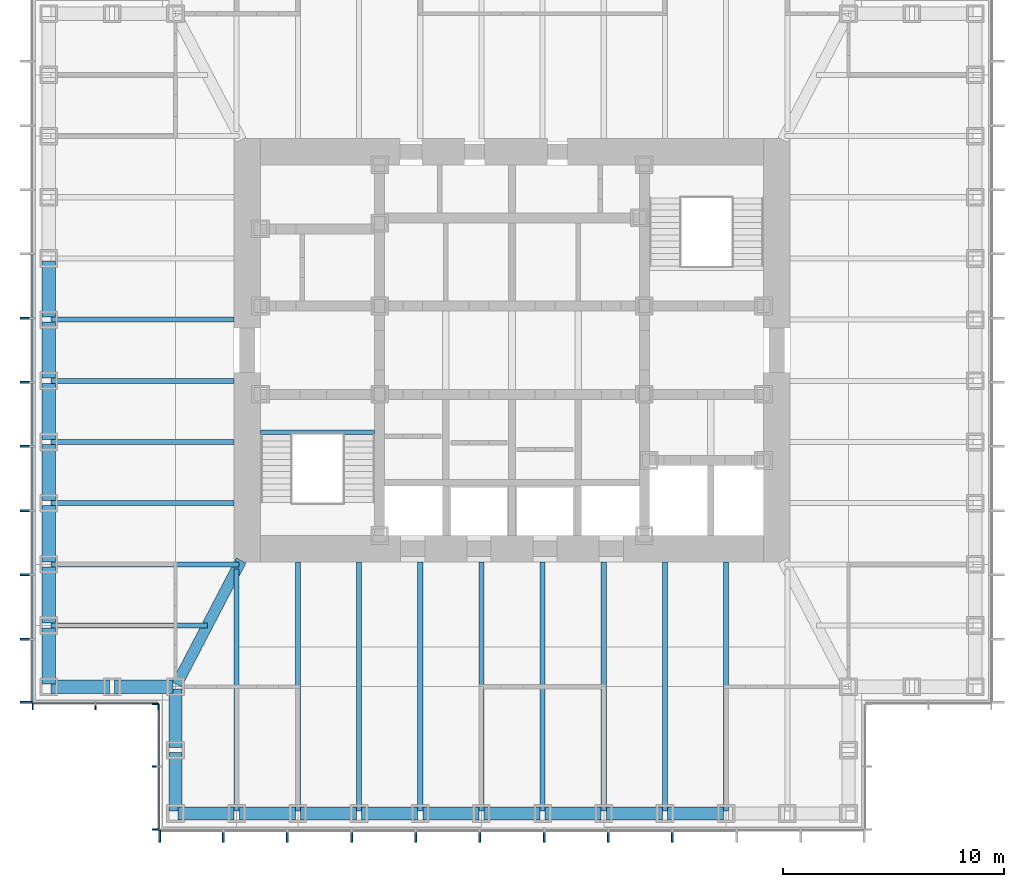
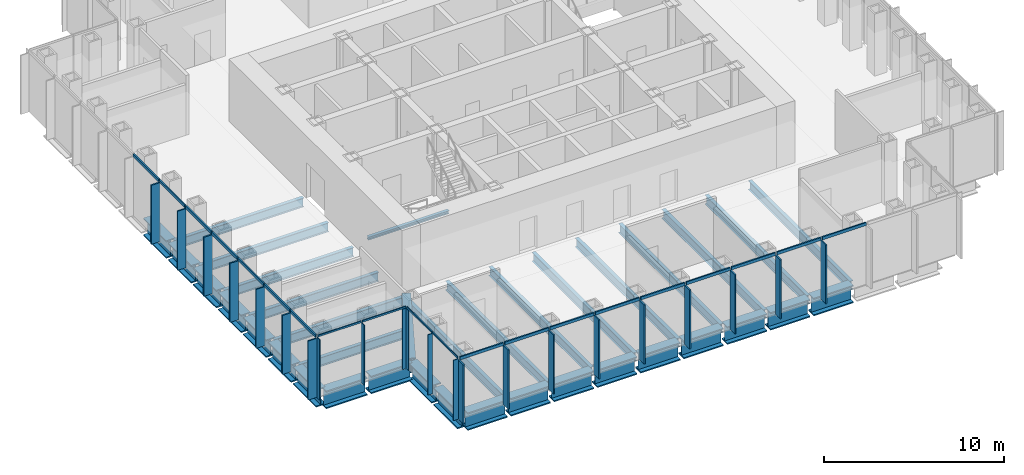
# One storey, part 2 of 16: 42 members, 37 beams, 4 elements without a shape of their own.
"""IFC4 building model written with IfcOpenShell, lengths in metres."""

from ifc_helpers import new_model, si_unit, direction, frame, origin, origin_2d, place, context, subcontext, project, spatial, rectangle, i_section, extrude, material, material_profile, profile_set, type_object, element, aggregate, save


model = new_model("IFC4")

# Units and contexts
model_context = context("Model", 3, precision=1e-05, world=origin(), true_north=direction((0.0, 1.0)))
body_context = subcontext(model_context, "Body", "Model", "MODEL_VIEW")
ifc_project = project(units=[si_unit("LENGTHUNIT", "METRE"), si_unit("AREAUNIT", "SQUARE_METRE"), si_unit("VOLUMEUNIT", "CUBIC_METRE"), si_unit("PLANEANGLEUNIT", "RADIAN"), si_unit("MASSUNIT", "GRAM", prefix="KILO")], contexts=[model_context])

# Site, building, storey
site_placement = place(None, origin())
site = spatial("IfcSite", under=ifc_project, at=site_placement, CompositionType="ELEMENT")
building_placement = place(site_placement, origin())
building = spatial("IfcBuilding", under=site, at=building_placement, Name="Daluyong Arena Tower", CompositionType="ELEMENT")
storey_placement = place(building_placement, frame((0.0, 0.0, 262.89990234375)))
storey = spatial("IfcBuildingStorey", under=building, at=storey_placement, Name="L59", CompositionType="ELEMENT", Elevation=262.89990234375)

# Curtain wall, members
ifc_material_1 = material(Name="Bronze anodised aluminium and glass", Category="aluminium")
curtain_wall_type_1 = type_object("IfcCurtainWallType", Name="Curtain wall CW4", PredefinedType="USERDEFINED", material=ifc_material_1)
curtain_wall_1_placement = place(storey_placement, origin())
curtain_wall_1 = element("IfcCurtainWall", 1, at=curtain_wall_1_placement, inside=storey, type_object=curtain_wall_type_1, Name="curtain wall L59 S", ObjectType="UNITISED CURTAIN WALL", PredefinedType="USERDEFINED")
ifc_material_2 = material(Name="Bronze anodised aluminium fin", Category="aluminium")
ifc_material_profile_1 = material_profile(ifc_material_2, rectangle(XDim=0.550048828125, YDim=0.090087890625, at=origin_2d()))
ifc_profile_set_1 = profile_set([ifc_material_profile_1], Name="Bronze anodised aluminium fin")
member_type_1 = type_object("IfcMemberType", Name="CW4 bronze fin 550x90", PredefinedType="MULLION", material=ifc_profile_set_1)
member_1_placement = place(storey_placement, frame((40.044921875, 57.97509765625, 0.0), z_axis=(0.0, 0.0, 1.0), x_axis=(0.0, 1.0, 0.0)))
member_1 = element("IfcMember", 2, at=member_1_placement, type_object=member_type_1, Name="curtain wall L59 S fin 1", PredefinedType="MULLION", context=body_context, shape_type="SweptSolid", body=[
    extrude(rectangle(XDim=0.550048828125, YDim=0.090087890625, at=origin_2d()), origin(), (0.0, 0.0, 1.0), 4.0),
])
member_2_placement = place(storey_placement, frame((42.9091796875, 57.97509765625, 0.0), z_axis=(0.0, 0.0, 1.0), x_axis=(0.0, 1.0, 0.0)))
member_2 = element("IfcMember", 3, at=member_2_placement, type_object=member_type_1, Name="curtain wall L59 S fin 2", PredefinedType="MULLION", context=body_context, shape_type="SweptSolid", body=[
    extrude(rectangle(XDim=0.550048828125, YDim=0.090087890625, at=origin_2d()), origin(), (0.0, 0.0, 1.0), 4.0),
])
member_3_placement = place(storey_placement, frame((45.818115234375, 57.97509765625, 0.0), z_axis=(0.0, 0.0, 1.0), x_axis=(0.0, 1.0, 0.0)))
member_3 = element("IfcMember", 4, at=member_3_placement, type_object=member_type_1, Name="curtain wall L59 S fin 3", PredefinedType="MULLION", context=body_context, shape_type="SweptSolid", body=[
    extrude(rectangle(XDim=0.550048828125, YDim=0.090087890625, at=origin_2d()), origin(), (0.0, 0.0, 1.0), 4.0),
])
member_4_placement = place(storey_placement, frame((48.727294921875, 57.97509765625, 0.0), z_axis=(0.0, 0.0, 1.0), x_axis=(0.0, 1.0, 0.0)))
member_4 = element("IfcMember", 5, at=member_4_placement, type_object=member_type_1, Name="curtain wall L59 S fin 4", PredefinedType="MULLION", context=body_context, shape_type="SweptSolid", body=[
    extrude(rectangle(XDim=0.550048828125, YDim=0.090087890625, at=origin_2d()), origin(), (0.0, 0.0, 1.0), 4.0),
])
member_5_placement = place(storey_placement, frame((51.636474609375, 57.97509765625, 0.0), z_axis=(0.0, 0.0, 1.0), x_axis=(0.0, 1.0, 0.0)))
member_5 = element("IfcMember", 6, at=member_5_placement, type_object=member_type_1, Name="curtain wall L59 S fin 5", PredefinedType="MULLION", context=body_context, shape_type="SweptSolid", body=[
    extrude(rectangle(XDim=0.550048828125, YDim=0.090087890625, at=origin_2d()), origin(), (0.0, 0.0, 1.0), 4.0),
])
member_6_placement = place(storey_placement, frame((54.54541015625, 57.97509765625, 0.0), z_axis=(0.0, 0.0, 1.0), x_axis=(0.0, 1.0, 0.0)))
member_6 = element("IfcMember", 7, at=member_6_placement, type_object=member_type_1, Name="curtain wall L59 S fin 6", PredefinedType="MULLION", context=body_context, shape_type="SweptSolid", body=[
    extrude(rectangle(XDim=0.550048828125, YDim=0.090087890625, at=origin_2d()), origin(), (0.0, 0.0, 1.0), 4.0),
])
member_7_placement = place(storey_placement, frame((57.45458984375, 57.97509765625, 0.0), z_axis=(0.0, 0.0, 1.0), x_axis=(0.0, 1.0, 0.0)))
member_7 = element("IfcMember", 8, at=member_7_placement, type_object=member_type_1, Name="curtain wall L59 S fin 7", PredefinedType="MULLION", context=body_context, shape_type="SweptSolid", body=[
    extrude(rectangle(XDim=0.550048828125, YDim=0.090087890625, at=origin_2d()), origin(), (0.0, 0.0, 1.0), 4.0),
])
member_8_placement = place(storey_placement, frame((60.363525390625, 57.97509765625, 0.0), z_axis=(0.0, 0.0, 1.0), x_axis=(0.0, 1.0, 0.0)))
member_8 = element("IfcMember", 9, at=member_8_placement, type_object=member_type_1, Name="curtain wall L59 S fin 8", PredefinedType="MULLION", context=body_context, shape_type="SweptSolid", body=[
    extrude(rectangle(XDim=0.550048828125, YDim=0.090087890625, at=origin_2d()), origin(), (0.0, 0.0, 1.0), 4.0),
])
member_9_placement = place(storey_placement, frame((63.272705078125, 57.97509765625, 0.0), z_axis=(0.0, 0.0, 1.0), x_axis=(0.0, 1.0, 0.0)))
member_9 = element("IfcMember", 10, at=member_9_placement, type_object=member_type_1, Name="curtain wall L59 S fin 9", PredefinedType="MULLION", context=body_context, shape_type="SweptSolid", body=[
    extrude(rectangle(XDim=0.550048828125, YDim=0.090087890625, at=origin_2d()), origin(), (0.0, 0.0, 1.0), 4.0),
])

curtain_wall_2_placement = place(storey_placement, origin())
curtain_wall_2 = element("IfcCurtainWall", 11, at=curtain_wall_2_placement, inside=storey, type_object=curtain_wall_type_1, Name="curtain wall L59 W", ObjectType="UNITISED CURTAIN WALL", PredefinedType="USERDEFINED")
member_10_placement = place(storey_placement, frame((33.97509765625, 81.45458984375, 0.0), z_axis=(0.0, 0.0, 1.0), x_axis=(1.0, 0.0, 0.0)))
member_10 = element("IfcMember", 12, at=member_10_placement, type_object=member_type_1, Name="curtain wall L59 W fin 6", PredefinedType="MULLION", context=body_context, shape_type="SweptSolid", body=[
    extrude(rectangle(XDim=0.550048828125, YDim=0.090087890625, at=origin_2d()), origin(), (0.0, 0.0, 1.0), 4.0),
])
member_11_placement = place(storey_placement, frame((33.97509765625, 78.54541015625, 0.0), z_axis=(0.0, 0.0, 1.0), x_axis=(1.0, 0.0, 0.0)))
member_11 = element("IfcMember", 13, at=member_11_placement, type_object=member_type_1, Name="curtain wall L59 W fin 7", PredefinedType="MULLION", context=body_context, shape_type="SweptSolid", body=[
    extrude(rectangle(XDim=0.550048828125, YDim=0.090087890625, at=origin_2d()), origin(), (0.0, 0.0, 1.0), 4.0),
])
member_12_placement = place(storey_placement, frame((33.97509765625, 75.636474609375, 0.0), z_axis=(0.0, 0.0, 1.0), x_axis=(1.0, 0.0, 0.0)))
member_12 = element("IfcMember", 14, at=member_12_placement, type_object=member_type_1, Name="curtain wall L59 W fin 8", PredefinedType="MULLION", context=body_context, shape_type="SweptSolid", body=[
    extrude(rectangle(XDim=0.550048828125, YDim=0.090087890625, at=origin_2d()), origin(), (0.0, 0.0, 1.0), 4.0),
])
member_13_placement = place(storey_placement, frame((33.97509765625, 72.727294921875, 0.0), z_axis=(0.0, 0.0, 1.0), x_axis=(1.0, 0.0, 0.0)))
member_13 = element("IfcMember", 15, at=member_13_placement, type_object=member_type_1, Name="curtain wall L59 W fin 9", PredefinedType="MULLION", context=body_context, shape_type="SweptSolid", body=[
    extrude(rectangle(XDim=0.550048828125, YDim=0.090087890625, at=origin_2d()), origin(), (0.0, 0.0, 1.0), 4.0),
])
member_14_placement = place(storey_placement, frame((33.97509765625, 69.818115234375, 0.0), z_axis=(0.0, 0.0, 1.0), x_axis=(1.0, 0.0, 0.0)))
member_14 = element("IfcMember", 16, at=member_14_placement, type_object=member_type_1, Name="curtain wall L59 W fin 10", PredefinedType="MULLION", context=body_context, shape_type="SweptSolid", body=[
    extrude(rectangle(XDim=0.550048828125, YDim=0.090087890625, at=origin_2d()), origin(), (0.0, 0.0, 1.0), 4.0),
])
member_15_placement = place(storey_placement, frame((33.97509765625, 66.9091796875, 0.0), z_axis=(0.0, 0.0, 1.0), x_axis=(1.0, 0.0, 0.0)))
member_15 = element("IfcMember", 17, at=member_15_placement, type_object=member_type_1, Name="curtain wall L59 W fin 11", PredefinedType="MULLION", context=body_context, shape_type="SweptSolid", body=[
    extrude(rectangle(XDim=0.550048828125, YDim=0.090087890625, at=origin_2d()), origin(), (0.0, 0.0, 1.0), 4.0),
])
member_16_placement = place(storey_placement, frame((33.97509765625, 64.044921875, 0.0), z_axis=(0.0, 0.0, 1.0), x_axis=(1.0, 0.0, 0.0)))
member_16 = element("IfcMember", 18, at=member_16_placement, type_object=member_type_1, Name="curtain wall L59 W fin 12", PredefinedType="MULLION", context=body_context, shape_type="SweptSolid", body=[
    extrude(rectangle(XDim=0.550048828125, YDim=0.090087890625, at=origin_2d()), origin(), (0.0, 0.0, 1.0), 4.0),
])

# Member
ifc_material_3 = material(Name="Bronze anodised aluminium", Category="aluminium")
ifc_material_profile_2 = material_profile(ifc_material_3, rectangle(XDim=0.090087890625, YDim=0.199951171875, at=origin_2d()))
ifc_profile_set_2 = profile_set([ifc_material_profile_2], Name="Bronze anodised aluminium")
member_type_2 = type_object("IfcMemberType", Name="CW4 stack transom 200x90", PredefinedType="USERDEFINED", material=ifc_profile_set_2)
member_17_placement = place(storey_placement, frame((40.090087890625, 58.25, 4.10009765625), z_axis=(1.0, 0.0, 0.0), x_axis=(0.0, 1.0, 0.0)))
member_17 = element("IfcMember", 19, at=member_17_placement, type_object=member_type_2, Name="curtain wall L59 S transom 1", ObjectType="TRANSOM", PredefinedType="USERDEFINED", context=body_context, shape_type="SweptSolid", body=[
    extrude(rectangle(XDim=0.090087890625, YDim=0.199951171875, at=origin_2d()), origin(), (0.0, 0.0, 1.0), 2.77392578125),
])

member_18_placement = place(storey_placement, frame((42.9541015625, 58.25, 4.10009765625), z_axis=(1.0, 0.0, 0.0), x_axis=(0.0, 1.0, 0.0)))
member_18 = element("IfcMember", 20, at=member_18_placement, type_object=member_type_2, Name="curtain wall L59 S transom 2", ObjectType="TRANSOM", PredefinedType="USERDEFINED", context=body_context, shape_type="SweptSolid", body=[
    extrude(rectangle(XDim=0.090087890625, YDim=0.199951171875, at=origin_2d()), origin(), (0.0, 0.0, 1.0), 2.819091796875),
])

member_19_placement = place(storey_placement, frame((45.86328125, 58.25, 4.10009765625), z_axis=(1.0, 0.0, 0.0), x_axis=(0.0, 1.0, 0.0)))
member_19 = element("IfcMember", 21, at=member_19_placement, type_object=member_type_2, Name="curtain wall L59 S transom 3", ObjectType="TRANSOM", PredefinedType="USERDEFINED", context=body_context, shape_type="SweptSolid", body=[
    extrude(rectangle(XDim=0.090087890625, YDim=0.199951171875, at=origin_2d()), origin(), (0.0, 0.0, 1.0), 2.819091796875),
])

member_20_placement = place(storey_placement, frame((48.772216796875, 58.25, 4.10009765625), z_axis=(1.0, 0.0, 0.0), x_axis=(0.0, 1.0, 0.0)))
member_20 = element("IfcMember", 22, at=member_20_placement, type_object=member_type_2, Name="curtain wall L59 S transom 4", ObjectType="TRANSOM", PredefinedType="USERDEFINED", context=body_context, shape_type="SweptSolid", body=[
    extrude(rectangle(XDim=0.090087890625, YDim=0.199951171875, at=origin_2d()), origin(), (0.0, 0.0, 1.0), 2.819091796875),
])

member_21_placement = place(storey_placement, frame((51.681396484375, 58.25, 4.10009765625), z_axis=(1.0, 0.0, 0.0), x_axis=(0.0, 1.0, 0.0)))
member_21 = element("IfcMember", 23, at=member_21_placement, type_object=member_type_2, Name="curtain wall L59 S transom 5", ObjectType="TRANSOM", PredefinedType="USERDEFINED", context=body_context, shape_type="SweptSolid", body=[
    extrude(rectangle(XDim=0.090087890625, YDim=0.199951171875, at=origin_2d()), origin(), (0.0, 0.0, 1.0), 2.819091796875),
])

member_22_placement = place(storey_placement, frame((54.590576171875, 58.25, 4.10009765625), z_axis=(1.0, 0.0, 0.0), x_axis=(0.0, 1.0, 0.0)))
member_22 = element("IfcMember", 24, at=member_22_placement, type_object=member_type_2, Name="curtain wall L59 S transom 6", ObjectType="TRANSOM", PredefinedType="USERDEFINED", context=body_context, shape_type="SweptSolid", body=[
    extrude(rectangle(XDim=0.090087890625, YDim=0.199951171875, at=origin_2d()), origin(), (0.0, 0.0, 1.0), 2.81884765625),
])

member_23_placement = place(storey_placement, frame((57.49951171875, 58.25, 4.10009765625), z_axis=(1.0, 0.0, 0.0), x_axis=(0.0, 1.0, 0.0)))
member_23 = element("IfcMember", 25, at=member_23_placement, type_object=member_type_2, Name="curtain wall L59 S transom 7", ObjectType="TRANSOM", PredefinedType="USERDEFINED", context=body_context, shape_type="SweptSolid", body=[
    extrude(rectangle(XDim=0.090087890625, YDim=0.199951171875, at=origin_2d()), origin(), (0.0, 0.0, 1.0), 2.819091796875),
])

member_24_placement = place(storey_placement, frame((60.40869140625, 58.25, 4.10009765625), z_axis=(1.0, 0.0, 0.0), x_axis=(0.0, 1.0, 0.0)))
member_24 = element("IfcMember", 26, at=member_24_placement, type_object=member_type_2, Name="curtain wall L59 S transom 8", ObjectType="TRANSOM", PredefinedType="USERDEFINED", context=body_context, shape_type="SweptSolid", body=[
    extrude(rectangle(XDim=0.090087890625, YDim=0.199951171875, at=origin_2d()), origin(), (0.0, 0.0, 1.0), 2.819091796875),
])

member_25_placement = place(storey_placement, frame((63.317626953125, 58.25, 4.10009765625), z_axis=(1.0, 0.0, 0.0), x_axis=(0.0, 1.0, 0.0)))
member_25 = element("IfcMember", 27, at=member_25_placement, type_object=member_type_2, Name="curtain wall L59 S transom 9", ObjectType="TRANSOM", PredefinedType="USERDEFINED", context=body_context, shape_type="SweptSolid", body=[
    extrude(rectangle(XDim=0.090087890625, YDim=0.199951171875, at=origin_2d()), origin(), (0.0, 0.0, 1.0), 2.819091796875),
])

aggregate(curtain_wall_1, [member_1, member_2, member_3, member_4, member_5, member_6, member_7, member_8, member_9, member_17, member_18, member_19, member_20, member_21, member_22, member_23, member_24, member_25])

member_26_placement = place(storey_placement, frame((34.25, 84.318603515625, 4.10009765625), z_axis=(0.0, -1.0, 0.0), x_axis=(1.0, 0.0, 0.0)))
member_26 = element("IfcMember", 28, at=member_26_placement, type_object=member_type_2, Name="curtain wall L59 W transom 5", ObjectType="TRANSOM", PredefinedType="USERDEFINED", context=body_context, shape_type="SweptSolid", body=[
    extrude(rectangle(XDim=0.090087890625, YDim=0.199951171875, at=origin_2d()), origin(), (0.0, 0.0, 1.0), 2.819091796875),
])

member_27_placement = place(storey_placement, frame((34.25, 81.409423828125, 4.10009765625), z_axis=(0.0, -1.0, 0.0), x_axis=(1.0, 0.0, 0.0)))
member_27 = element("IfcMember", 29, at=member_27_placement, type_object=member_type_2, Name="curtain wall L59 W transom 6", ObjectType="TRANSOM", PredefinedType="USERDEFINED", context=body_context, shape_type="SweptSolid", body=[
    extrude(rectangle(XDim=0.090087890625, YDim=0.199951171875, at=origin_2d()), origin(), (0.0, 0.0, 1.0), 2.81884765625),
])

member_28_placement = place(storey_placement, frame((34.25, 78.50048828125, 4.10009765625), z_axis=(0.0, -1.0, 0.0), x_axis=(1.0, 0.0, 0.0)))
member_28 = element("IfcMember", 30, at=member_28_placement, type_object=member_type_2, Name="curtain wall L59 W transom 7", ObjectType="TRANSOM", PredefinedType="USERDEFINED", context=body_context, shape_type="SweptSolid", body=[
    extrude(rectangle(XDim=0.090087890625, YDim=0.199951171875, at=origin_2d()), origin(), (0.0, 0.0, 1.0), 2.819091796875),
])

member_29_placement = place(storey_placement, frame((34.25, 75.59130859375, 4.10009765625), z_axis=(0.0, -1.0, 0.0), x_axis=(1.0, 0.0, 0.0)))
member_29 = element("IfcMember", 31, at=member_29_placement, type_object=member_type_2, Name="curtain wall L59 W transom 8", ObjectType="TRANSOM", PredefinedType="USERDEFINED", context=body_context, shape_type="SweptSolid", body=[
    extrude(rectangle(XDim=0.090087890625, YDim=0.199951171875, at=origin_2d()), origin(), (0.0, 0.0, 1.0), 2.819091796875),
])

member_30_placement = place(storey_placement, frame((34.25, 72.682373046875, 4.10009765625), z_axis=(0.0, -1.0, 0.0), x_axis=(1.0, 0.0, 0.0)))
member_30 = element("IfcMember", 32, at=member_30_placement, type_object=member_type_2, Name="curtain wall L59 W transom 9", ObjectType="TRANSOM", PredefinedType="USERDEFINED", context=body_context, shape_type="SweptSolid", body=[
    extrude(rectangle(XDim=0.090087890625, YDim=0.199951171875, at=origin_2d()), origin(), (0.0, 0.0, 1.0), 2.819091796875),
])

member_31_placement = place(storey_placement, frame((34.25, 69.773193359375, 4.10009765625), z_axis=(0.0, -1.0, 0.0), x_axis=(1.0, 0.0, 0.0)))
member_31 = element("IfcMember", 33, at=member_31_placement, type_object=member_type_2, Name="curtain wall L59 W transom 10", ObjectType="TRANSOM", PredefinedType="USERDEFINED", context=body_context, shape_type="SweptSolid", body=[
    extrude(rectangle(XDim=0.090087890625, YDim=0.199951171875, at=origin_2d()), origin(), (0.0, 0.0, 1.0), 2.819091796875),
])

member_32_placement = place(storey_placement, frame((34.25, 66.864013671875, 4.10009765625), z_axis=(0.0, -1.0, 0.0), x_axis=(1.0, 0.0, 0.0)))
member_32 = element("IfcMember", 34, at=member_32_placement, type_object=member_type_2, Name="curtain wall L59 W transom 11", ObjectType="TRANSOM", PredefinedType="USERDEFINED", context=body_context, shape_type="SweptSolid", body=[
    extrude(rectangle(XDim=0.090087890625, YDim=0.199951171875, at=origin_2d()), origin(), (0.0, 0.0, 1.0), 2.77392578125),
])

aggregate(curtain_wall_2, [member_10, member_11, member_12, member_13, member_14, member_15, member_16, member_26, member_27, member_28, member_29, member_30, member_31, member_32])

# Curtain wall, members
ifc_material_4 = material(Name="Bronze anodised aluminium and glass", Category="aluminium")
curtain_wall_type_2 = type_object("IfcCurtainWallType", Name="Curtain wall CW7", PredefinedType="USERDEFINED", material=ifc_material_4)
curtain_wall_3_placement = place(storey_placement, origin())
curtain_wall_3 = element("IfcCurtainWall", 35, at=curtain_wall_3_placement, inside=storey, type_object=curtain_wall_type_2, Name="curtain wall L59 SW-S", ObjectType="UNITISED CURTAIN WALL", PredefinedType="USERDEFINED")
ifc_material_5 = material(Name="Bronze anodised aluminium fin", Category="aluminium")
ifc_material_profile_3 = material_profile(ifc_material_5, rectangle(XDim=0.300048828125, YDim=0.06005859375, at=origin_2d()))
ifc_profile_set_3 = profile_set([ifc_material_profile_3], Name="Bronze anodised aluminium fin")
member_type_3 = type_object("IfcMemberType", Name="CW7 bronze fin 300x60", PredefinedType="MULLION", material=ifc_profile_set_3)
member_33_placement = place(storey_placement, frame((34.280029296875, 63.85009765625, 0.0), z_axis=(0.0, 0.0, 1.0), x_axis=(0.0, 1.0, 0.0)))
member_33 = element("IfcMember", 36, at=member_33_placement, type_object=member_type_3, Name="curtain wall L59 SW-S fin 1", PredefinedType="MULLION", context=body_context, shape_type="SweptSolid", body=[
    extrude(rectangle(XDim=0.300048828125, YDim=0.06005859375, at=origin_2d()), origin(), (0.0, 0.0, 1.0), 4.080078125),
])
member_34_placement = place(storey_placement, frame((37.125, 63.85009765625, 0.0), z_axis=(0.0, 0.0, 1.0), x_axis=(0.0, 1.0, 0.0)))
member_34 = element("IfcMember", 37, at=member_34_placement, type_object=member_type_3, Name="curtain wall L59 SW-S fin 2", PredefinedType="MULLION", context=body_context, shape_type="SweptSolid", body=[
    extrude(rectangle(XDim=0.300048828125, YDim=0.06005859375, at=origin_2d()), origin(), (0.0, 0.0, 1.0), 4.080078125),
])
member_35_placement = place(storey_placement, frame((39.969970703125, 63.85009765625, 0.0), z_axis=(0.0, 0.0, 1.0), x_axis=(0.0, 1.0, 0.0)))
member_35 = element("IfcMember", 38, at=member_35_placement, type_object=member_type_3, Name="curtain wall L59 SW-S fin 3", PredefinedType="MULLION", context=body_context, shape_type="SweptSolid", body=[
    extrude(rectangle(XDim=0.300048828125, YDim=0.06005859375, at=origin_2d()), origin(), (0.0, 0.0, 1.0), 4.080078125),
])

curtain_wall_4_placement = place(storey_placement, origin())
curtain_wall_4 = element("IfcCurtainWall", 39, at=curtain_wall_4_placement, inside=storey, type_object=curtain_wall_type_2, Name="curtain wall L59 SW-W", ObjectType="UNITISED CURTAIN WALL", PredefinedType="USERDEFINED")
member_36_placement = place(storey_placement, frame((39.85009765625, 63.969970703125, 0.0), z_axis=(0.0, 0.0, 1.0), x_axis=(1.0, 0.0, 0.0)))
member_36 = element("IfcMember", 40, at=member_36_placement, type_object=member_type_3, Name="curtain wall L59 SW-W fin 1", PredefinedType="MULLION", context=body_context, shape_type="SweptSolid", body=[
    extrude(rectangle(XDim=0.300048828125, YDim=0.06005859375, at=origin_2d()), origin(), (0.0, 0.0, 1.0), 4.080078125),
])
member_37_placement = place(storey_placement, frame((39.85009765625, 61.125, 0.0), z_axis=(0.0, 0.0, 1.0), x_axis=(1.0, 0.0, 0.0)))
member_37 = element("IfcMember", 41, at=member_37_placement, type_object=member_type_3, Name="curtain wall L59 SW-W fin 2", PredefinedType="MULLION", context=body_context, shape_type="SweptSolid", body=[
    extrude(rectangle(XDim=0.300048828125, YDim=0.06005859375, at=origin_2d()), origin(), (0.0, 0.0, 1.0), 4.080078125),
])
member_38_placement = place(storey_placement, frame((39.85009765625, 58.280029296875, 0.0), z_axis=(0.0, 0.0, 1.0), x_axis=(1.0, 0.0, 0.0)))
member_38 = element("IfcMember", 42, at=member_38_placement, type_object=member_type_3, Name="curtain wall L59 SW-W fin 3", PredefinedType="MULLION", context=body_context, shape_type="SweptSolid", body=[
    extrude(rectangle(XDim=0.300048828125, YDim=0.06005859375, at=origin_2d()), origin(), (0.0, 0.0, 1.0), 4.080078125),
])

# Member
ifc_material_6 = material(Name="Bronze anodised aluminium", Category="aluminium")
ifc_material_profile_4 = material_profile(ifc_material_6, rectangle(XDim=0.06005859375, YDim=0.1201171875, at=origin_2d()))
ifc_profile_set_4 = profile_set([ifc_material_profile_4], Name="Bronze anodised aluminium")
member_type_4 = type_object("IfcMemberType", Name="CW7 stack transom 120x60", PredefinedType="USERDEFINED", material=ifc_profile_set_4)
member_39_placement = place(storey_placement, frame((34.31005859375, 64.0, 4.14013671875), z_axis=(1.0, 0.0, 0.0), x_axis=(0.0, 1.0, 0.0)))
member_39 = element("IfcMember", 43, at=member_39_placement, type_object=member_type_4, Name="curtain wall L59 SW-S transom 1", ObjectType="TRANSOM", PredefinedType="USERDEFINED", context=body_context, shape_type="SweptSolid", body=[
    extrude(rectangle(XDim=0.06005859375, YDim=0.1201171875, at=origin_2d()), origin(), (0.0, 0.0, 1.0), 2.784912109375),
])

member_40_placement = place(storey_placement, frame((37.155029296875, 64.0, 4.14013671875), z_axis=(1.0, 0.0, 0.0), x_axis=(0.0, 1.0, 0.0)))
member_40 = element("IfcMember", 44, at=member_40_placement, type_object=member_type_4, Name="curtain wall L59 SW-S transom 2", ObjectType="TRANSOM", PredefinedType="USERDEFINED", context=body_context, shape_type="SweptSolid", body=[
    extrude(rectangle(XDim=0.06005859375, YDim=0.1201171875, at=origin_2d()), origin(), (0.0, 0.0, 1.0), 2.784912109375),
])

aggregate(curtain_wall_3, [member_33, member_34, member_35, member_39, member_40])

member_41_placement = place(storey_placement, frame((40.0, 63.93994140625, 4.14013671875), z_axis=(0.0, -1.0, 0.0), x_axis=(1.0, 0.0, 0.0)))
member_41 = element("IfcMember", 45, at=member_41_placement, type_object=member_type_4, Name="curtain wall L59 SW-W transom 1", ObjectType="TRANSOM", PredefinedType="USERDEFINED", context=body_context, shape_type="SweptSolid", body=[
    extrude(rectangle(XDim=0.06005859375, YDim=0.1201171875, at=origin_2d()), origin(), (0.0, 0.0, 1.0), 2.784912109375),
])

member_42_placement = place(storey_placement, frame((40.0, 61.094970703125, 4.14013671875), z_axis=(0.0, -1.0, 0.0), x_axis=(1.0, 0.0, 0.0)))
member_42 = element("IfcMember", 46, at=member_42_placement, type_object=member_type_4, Name="curtain wall L59 SW-W transom 2", ObjectType="TRANSOM", PredefinedType="USERDEFINED", context=body_context, shape_type="SweptSolid", body=[
    extrude(rectangle(XDim=0.06005859375, YDim=0.1201171875, at=origin_2d()), origin(), (0.0, 0.0, 1.0), 2.784912109375),
])

aggregate(curtain_wall_4, [member_36, member_37, member_38, member_41, member_42])

# Beams
ifc_material_7 = material(Name="Steel ASTM A572 Grade 50", Category="steel")
ifc_material_profile_5 = material_profile(ifc_material_7, i_section(OverallWidth=0.5, OverallDepth=1.0, WebThickness=0.03, FlangeThickness=0.06, at=origin_2d()))
ifc_profile_set_5 = profile_set([ifc_material_profile_5], Name="Steel ASTM A572 Grade 50")
beam_type_1 = type_object("IfcBeamType", Name="Corner girder TB1000X500", PredefinedType="BEAM", material=ifc_profile_set_5)
beam_1_placement = place(storey_placement, frame((40.802978515625, 64.85205078125, -0.659912109375), z_axis=(0.461351522179, 0.887217432754, 0.0), x_axis=(-0.887217432754, 0.461351522179, 0.0)))
element("IfcBeam", 47, at=beam_1_placement, inside=storey, type_object=beam_type_1, Name="corner girder DG2", PredefinedType="BEAM", context=body_context, shape_type="SweptSolid", body=[
    extrude(i_section(OverallWidth=0.5, OverallDepth=1.0, WebThickness=0.03, FlangeThickness=0.06, at=origin_2d()), origin(), (0.0, 0.0, 1.0), 6.32958984375),
])
ifc_material_8 = material(Name="Steel ASTM A992 Grade 50", Category="steel")
ifc_material_profile_6 = material_profile(ifc_material_8, i_section(OverallWidth=0.22900390625, OverallDepth=0.612060546875, WebThickness=0.011962890625, FlangeThickness=0.01953125, at=origin_2d()))
ifc_profile_set_6 = profile_set([ifc_material_profile_6], Name="Steel ASTM A992 Grade 50")
beam_type_2 = type_object("IfcBeamType", Name="Floor beam W24X84", PredefinedType="BEAM", material=ifc_profile_set_6)
beam_2_placement = place(storey_placement, frame((43.522705078125, 59.114990234375, -0.466064453125), z_axis=(0.0, 1.0, 0.0), x_axis=(-1.0, 0.0, 0.0)))
element("IfcBeam", 48, at=beam_2_placement, inside=storey, type_object=beam_type_2, Name="floor beam FB3", PredefinedType="BEAM", context=body_context, shape_type="SweptSolid", body=[
    extrude(i_section(OverallWidth=0.22900390625, OverallDepth=0.612060546875, WebThickness=0.011962890625, FlangeThickness=0.01953125, at=origin_2d()), origin(), (0.0, 0.0, 1.0), 10.96728515625),
])
for number, where, z_axis, x_axis, name in (
    (49, (46.29541015625, 59.114990234375, -0.466064453125), (0.0, 1.0, 0.0), (-1.0, 0.0, 0.0), "floor beam FB3"),
    (50, (49.068115234375, 59.114990234375, -0.466064453125), (0.0, 1.0, 0.0), (-1.0, 0.0, 0.0), "floor beam FB3"),
    (51, (51.8408203125, 59.114990234375, -0.466064453125), (0.0, 1.0, 0.0), (-1.0, 0.0, 0.0), "floor beam FB3"),
    (52, (54.613525390625, 59.114990234375, -0.466064453125), (0.0, 1.0, 0.0), (-1.0, 0.0, 0.0), "floor beam FB3"),
    (53, (57.386474609375, 59.114990234375, -0.466064453125), (0.0, 1.0, 0.0), (-1.0, 0.0, 0.0), "floor beam FB3"),
    (54, (60.1591796875, 59.114990234375, -0.466064453125), (0.0, 1.0, 0.0), (-1.0, 0.0, 0.0), "floor beam FB3"),
    (55, (62.931884765625, 59.114990234375, -0.466064453125), (0.0, 1.0, 0.0), (-1.0, 0.0, 0.0), "floor beam FB3"),
    (56, (65.70458984375, 59.114990234375, -0.466064453125), (0.0, 1.0, 0.0), (-1.0, 0.0, 0.0), "floor beam FB3"),
):
    element("IfcBeam", number, at=place(storey_placement, frame(where, z_axis=z_axis, x_axis=x_axis)), inside=storey, type_object=beam_type_2, Name=name, PredefinedType="BEAM", context=body_context, shape_type="SweptSolid", body=[
        extrude(i_section(OverallWidth=0.22900390625, OverallDepth=0.612060546875, WebThickness=0.011962890625, FlangeThickness=0.01953125, at=origin_2d()), origin(), (0.0, 0.0, 1.0), 11.284912109375),
    ])
for number, where, z_axis, x_axis, name in (
    (57, (35.114990234375, 81.386474609375, -0.466064453125), (1.0, 0.0, 0.0), (0.0, 1.0, 0.0), "floor beam FB3"),
    (58, (35.114990234375, 78.613525390625, -0.466064453125), (1.0, 0.0, 0.0), (0.0, 1.0, 0.0), "floor beam FB3"),
    (59, (35.114990234375, 75.8408203125, -0.466064453125), (1.0, 0.0, 0.0), (0.0, 1.0, 0.0), "floor beam FB3"),
    (60, (35.114990234375, 73.068115234375, -0.466064453125), (1.0, 0.0, 0.0), (0.0, 1.0, 0.0), "floor beam FB3"),
):
    element("IfcBeam", number, at=place(storey_placement, frame(where, z_axis=z_axis, x_axis=x_axis)), inside=storey, type_object=beam_type_2, Name=name, PredefinedType="BEAM", context=body_context, shape_type="SweptSolid", body=[
        extrude(i_section(OverallWidth=0.22900390625, OverallDepth=0.612060546875, WebThickness=0.011962890625, FlangeThickness=0.01953125, at=origin_2d()), origin(), (0.0, 0.0, 1.0), 8.284912109375),
    ])
beam_3_placement = place(storey_placement, frame((35.114990234375, 70.29541015625, -0.466064453125), z_axis=(1.0, 0.0, 0.0), x_axis=(0.0, 1.0, 0.0)))
element("IfcBeam", 61, at=beam_3_placement, inside=storey, type_object=beam_type_2, Name="floor beam FB3", PredefinedType="BEAM", context=body_context, shape_type="SweptSolid", body=[
    extrude(i_section(OverallWidth=0.22900390625, OverallDepth=0.612060546875, WebThickness=0.011962890625, FlangeThickness=0.01953125, at=origin_2d()), origin(), (0.0, 0.0, 1.0), 8.5185546875),
])
beam_4_placement = place(storey_placement, frame((35.114990234375, 67.522705078125, -0.466064453125), z_axis=(1.0, 0.0, 0.0), x_axis=(0.0, 1.0, 0.0)))
element("IfcBeam", 62, at=beam_4_placement, inside=storey, type_object=beam_type_2, Name="floor beam FB3", PredefinedType="BEAM", context=body_context, shape_type="SweptSolid", body=[
    extrude(i_section(OverallWidth=0.22900390625, OverallDepth=0.612060546875, WebThickness=0.011962890625, FlangeThickness=0.01953125, at=origin_2d()), origin(), (0.0, 0.0, 1.0), 7.076904296875),
])
ifc_material_9 = material(Name="Steel ASTM A572 Grade 50", Category="steel")
ifc_material_profile_7 = material_profile(ifc_material_9, i_section(OverallWidth=0.60009765625, OverallDepth=1.199951171875, WebThickness=0.03, FlangeThickness=0.08, at=origin_2d()))
ifc_profile_set_7 = profile_set([ifc_material_profile_7], Name="Steel ASTM A572 Grade 50")
beam_type_3 = type_object("IfcBeamType", Name="Spandrel Z4 PG1200X600", PredefinedType="SPANDREL", material=ifc_profile_set_7)
for number, where, z_axis, x_axis, name in (
    (63, (40.864990234375, 59.0, -0.760009765625), (1.0, 0.0, 0.0), (0.0, 1.0, 0.0), "spandrel z4 SB9"),
    (64, (43.6376953125, 59.0, -0.760009765625), (1.0, 0.0, 0.0), (0.0, 1.0, 0.0), "spandrel z4 SB9"),
    (65, (46.410400390625, 59.0, -0.760009765625), (1.0, 0.0, 0.0), (0.0, 1.0, 0.0), "spandrel z4 SB9"),
    (66, (49.18310546875, 59.0, -0.760009765625), (1.0, 0.0, 0.0), (0.0, 1.0, 0.0), "spandrel z4 SB9"),
    (67, (51.955810546875, 59.0, -0.760009765625), (1.0, 0.0, 0.0), (0.0, 1.0, 0.0), "spandrel z4 SB9"),
):
    element("IfcBeam", number, at=place(storey_placement, frame(where, z_axis=z_axis, x_axis=x_axis)), inside=storey, type_object=beam_type_3, Name=name, PredefinedType="SPANDREL", context=body_context, shape_type="SweptSolid", body=[
        extrude(i_section(OverallWidth=0.60009765625, OverallDepth=1.199951171875, WebThickness=0.03, FlangeThickness=0.08, at=origin_2d()), origin(), (0.0, 0.0, 1.0), 2.542724609375),
    ])
beam_5_placement = place(storey_placement, frame((54.728515625, 59.0, -0.760009765625), z_axis=(1.0, 0.0, 0.0), x_axis=(0.0, 1.0, 0.0)))
element("IfcBeam", 68, at=beam_5_placement, inside=storey, type_object=beam_type_3, Name="spandrel z4 SB9", PredefinedType="SPANDREL", context=body_context, shape_type="SweptSolid", body=[
    extrude(i_section(OverallWidth=0.60009765625, OverallDepth=1.199951171875, WebThickness=0.03, FlangeThickness=0.08, at=origin_2d()), origin(), (0.0, 0.0, 1.0), 2.54296875),
])
for number, where, z_axis, x_axis, name in (
    (69, (57.50146484375, 59.0, -0.760009765625), (1.0, 0.0, 0.0), (0.0, 1.0, 0.0), "spandrel z4 SB9"),
    (70, (60.274169921875, 59.0, -0.760009765625), (1.0, 0.0, 0.0), (0.0, 1.0, 0.0), "spandrel z4 SB9"),
    (71, (63.046875, 59.0, -0.760009765625), (1.0, 0.0, 0.0), (0.0, 1.0, 0.0), "spandrel z4 SB9"),
    (72, (35.0, 84.044189453125, -0.760009765625), (0.0, -1.0, 0.0), (1.0, 0.0, 0.0), "spandrel z4 SB9"),
):
    element("IfcBeam", number, at=place(storey_placement, frame(where, z_axis=z_axis, x_axis=x_axis)), inside=storey, type_object=beam_type_3, Name=name, PredefinedType="SPANDREL", context=body_context, shape_type="SweptSolid", body=[
        extrude(i_section(OverallWidth=0.60009765625, OverallDepth=1.199951171875, WebThickness=0.03, FlangeThickness=0.08, at=origin_2d()), origin(), (0.0, 0.0, 1.0), 2.542724609375),
    ])
beam_6_placement = place(storey_placement, frame((35.0, 81.271484375, -0.760009765625), z_axis=(0.0, -1.0, 0.0), x_axis=(1.0, 0.0, 0.0)))
element("IfcBeam", 73, at=beam_6_placement, inside=storey, type_object=beam_type_3, Name="spandrel z4 SB9", PredefinedType="SPANDREL", context=body_context, shape_type="SweptSolid", body=[
    extrude(i_section(OverallWidth=0.60009765625, OverallDepth=1.199951171875, WebThickness=0.03, FlangeThickness=0.08, at=origin_2d()), origin(), (0.0, 0.0, 1.0), 2.54296875),
])
for number, where, z_axis, x_axis, name in (
    (74, (35.0, 78.49853515625, -0.760009765625), (0.0, -1.0, 0.0), (1.0, 0.0, 0.0), "spandrel z4 SB9"),
    (75, (35.0, 75.725830078125, -0.760009765625), (0.0, -1.0, 0.0), (1.0, 0.0, 0.0), "spandrel z4 SB9"),
    (76, (35.0, 72.953125, -0.760009765625), (0.0, -1.0, 0.0), (1.0, 0.0, 0.0), "spandrel z4 SB9"),
    (77, (35.0, 70.180419921875, -0.760009765625), (0.0, -1.0, 0.0), (1.0, 0.0, 0.0), "spandrel z4 SB9"),
    (78, (35.0, 67.40771484375, -0.760009765625), (0.0, -1.0, 0.0), (1.0, 0.0, 0.0), "spandrel z4 SB9"),
):
    element("IfcBeam", number, at=place(storey_placement, frame(where, z_axis=z_axis, x_axis=x_axis)), inside=storey, type_object=beam_type_3, Name=name, PredefinedType="SPANDREL", context=body_context, shape_type="SweptSolid", body=[
        extrude(i_section(OverallWidth=0.60009765625, OverallDepth=1.199951171875, WebThickness=0.03, FlangeThickness=0.08, at=origin_2d()), origin(), (0.0, 0.0, 1.0), 2.542724609375),
    ])
for number, where, z_axis, x_axis, name in (
    (79, (35.114990234375, 64.75, -0.760009765625), (1.0, 0.0, 0.0), (0.0, 1.0, 0.0), "spandrel z4 SB9"),
    (80, (37.989990234375, 64.75, -0.760009765625), (1.0, 0.0, 0.0), (0.0, 1.0, 0.0), "spandrel z4 SB9"),
    (81, (40.75, 64.635009765625, -0.760009765625), (0.0, -1.0, 0.0), (1.0, 0.0, 0.0), "spandrel z4 SB9"),
    (82, (40.75, 61.760009765625, -0.760009765625), (0.0, -1.0, 0.0), (1.0, 0.0, 0.0), "spandrel z4 SB9"),
):
    element("IfcBeam", number, at=place(storey_placement, frame(where, z_axis=z_axis, x_axis=x_axis)), inside=storey, type_object=beam_type_3, Name=name, PredefinedType="SPANDREL", context=body_context, shape_type="SweptSolid", body=[
        extrude(i_section(OverallWidth=0.60009765625, OverallDepth=1.199951171875, WebThickness=0.03, FlangeThickness=0.08, at=origin_2d()), origin(), (0.0, 0.0, 1.0), 2.64501953125),
    ])
ifc_material_10 = material(Name="Steel ASTM A992 Grade 50", Category="steel")
ifc_material_profile_8 = material_profile(ifc_material_10, i_section(OverallWidth=0.203125, OverallDepth=0.203125, WebThickness=0.00732421875, FlangeThickness=0.010986328125, at=origin_2d()))
ifc_profile_set_8 = profile_set([ifc_material_profile_8], Name="Steel ASTM A992 Grade 50")
beam_type_4 = type_object("IfcBeamType", Name="Stair landing beam W8X31", PredefinedType="BEAM", material=ifc_profile_set_8)
beam_7_placement = place(storey_placement, frame((44.60009765625, 76.276611328125, -0.261474609375), z_axis=(1.0, 0.0, 0.0), x_axis=(0.0, 1.0, 0.0)))
element("IfcBeam", 83, at=beam_7_placement, inside=storey, type_object=beam_type_4, Name="exit stair A landing beam", PredefinedType="BEAM", context=body_context, shape_type="SweptSolid", body=[
    extrude(i_section(OverallWidth=0.203125, OverallDepth=0.203125, WebThickness=0.00732421875, FlangeThickness=0.010986328125, at=origin_2d()), origin(), (0.0, 0.0, 1.0), 5.1748046875),
])

save(model, "model.ifc")
